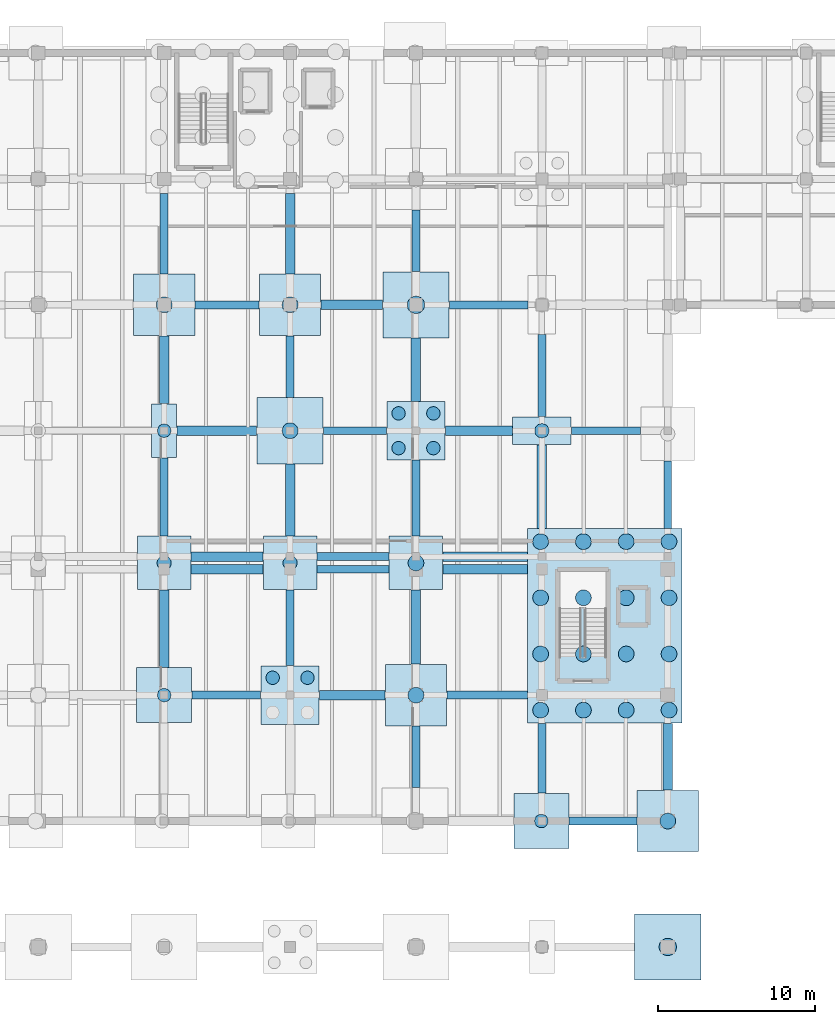
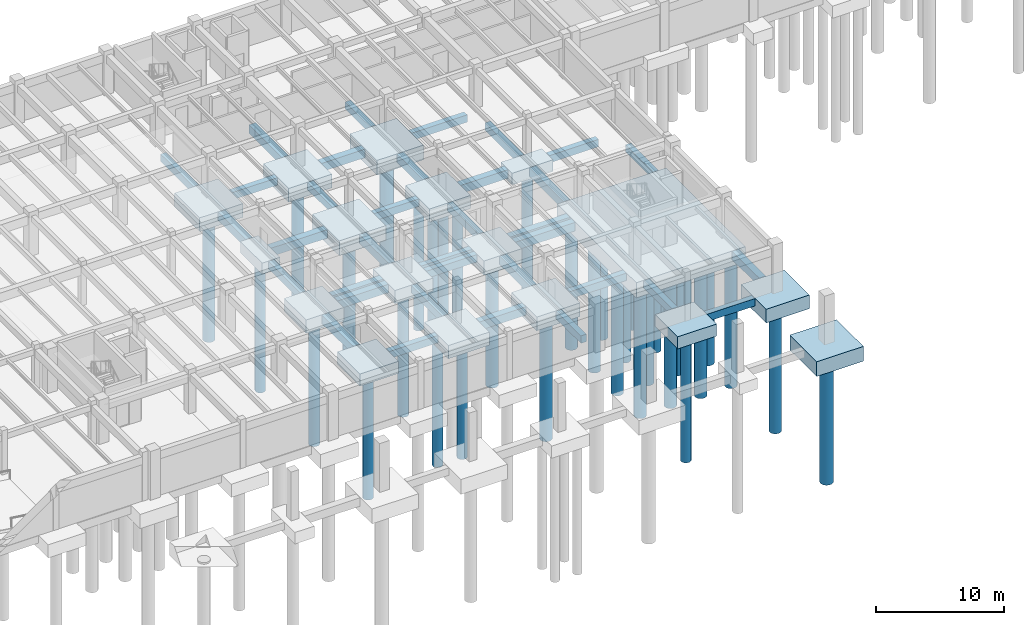
# One storey, part 4 of 25: 52 footings, 36 piles.
"""IFC4 building model written with IfcOpenShell, lengths in metres."""

from ifc_helpers import new_model, si_unit, direction, frame, origin, origin_2d, place, context, subcontext, project, spatial, rectangle, circle, extrude, material, layer, layer_set, material_profile, profile_set, type_object, element, save


model = new_model("IFC4")

# Units and contexts
model_context = context("Model", 3, precision=1e-05, world=origin(), true_north=direction((0.0, 1.0)))
body_context = subcontext(model_context, "Body", "Model", "MODEL_VIEW")
ifc_project = project(units=[si_unit("LENGTHUNIT", "METRE"), si_unit("AREAUNIT", "SQUARE_METRE"), si_unit("VOLUMEUNIT", "CUBIC_METRE"), si_unit("PLANEANGLEUNIT", "RADIAN"), si_unit("MASSUNIT", "GRAM", prefix="KILO")], contexts=[model_context])

# Site, building, storey
site_placement = place(None, origin())
site = spatial("IfcSite", under=ifc_project, at=site_placement, CompositionType="ELEMENT")
building_placement = place(site_placement, origin())
building = spatial("IfcBuilding", under=site, at=building_placement, Name="Tlaxcora Railside Police Headquarters", CompositionType="ELEMENT")
storey_placement = place(building_placement, frame((0.0, 0.0, -4.199951171875)))
storey = spatial("IfcBuildingStorey", under=building, at=storey_placement, Name="B1", CompositionType="ELEMENT", Elevation=-4.199951171875)

# Piles
ifc_material_1 = material(Name="Concrete C35/45", Category="concrete")
ifc_material_profile_1 = material_profile(ifc_material_1, circle(Radius=0.425048828125, at=origin_2d()), Name="PILE850")
ifc_profile_set_1 = profile_set([ifc_material_profile_1], Name="Concrete C35/45")
pile_type_1 = type_object("IfcPileType", Name="Cast-in-Place Bored Pile PL-12", PredefinedType="BORED", material=ifc_profile_set_1)
pile_1_placement = place(storey_placement, frame((70.0, 52.0, -1.43994140625), z_axis=(0.0, 0.0, -1.0), x_axis=(1.0, 0.0, 0.0)))
element("IfcPile", 1, at=pile_1_placement, inside=storey, type_object=pile_type_1, Name="Bored pile PILE-058-1", PredefinedType="BORED", context=body_context, shape_type="SweptSolid", body=[
    extrude(circle(Radius=0.425048828125, at=origin_2d()), origin(), (0.0, 0.0, 1.0), 12.360107421875),
])
pile_2_placement = place(storey_placement, frame((70.0, 68.800048828125, -1.340087890625), z_axis=(0.0, 0.0, -1.0), x_axis=(1.0, 0.0, 0.0)))
element("IfcPile", 2, at=pile_2_placement, inside=storey, type_object=pile_type_1, Name="Bored pile PILE-060-1", PredefinedType="BORED", context=body_context, shape_type="SweptSolid", body=[
    extrude(circle(Radius=0.425048828125, at=origin_2d()), origin(), (0.0, 0.0, 1.0), 12.4599609375),
])
for number, where, z_axis, x_axis, name in (
    (3, (76.89501953125, 53.10498046875, -1.5400390625), (0.0, 0.0, -1.0), (1.0, 0.0, 0.0), "Bored pile PILE-064-2"),
    (4, (79.10498046875, 53.10498046875, -1.5400390625), (0.0, 0.0, -1.0), (1.0, 0.0, 0.0), "Bored pile PILE-064-4"),
    (5, (84.89501953125, 67.695068359375, -1.5400390625), (0.0, 0.0, -1.0), (1.0, 0.0, 0.0), "Bored pile PILE-073-1"),
    (6, (84.89501953125, 69.905029296875, -1.5400390625), (0.0, 0.0, -1.0), (1.0, 0.0, 0.0), "Bored pile PILE-073-2"),
    (7, (87.10498046875, 67.695068359375, -1.5400390625), (0.0, 0.0, -1.0), (1.0, 0.0, 0.0), "Bored pile PILE-073-3"),
    (8, (87.10498046875, 69.905029296875, -1.5400390625), (0.0, 0.0, -1.0), (1.0, 0.0, 0.0), "Bored pile PILE-073-4"),
):
    element("IfcPile", number, at=place(storey_placement, frame(where, z_axis=z_axis, x_axis=x_axis)), inside=storey, type_object=pile_type_1, Name=name, PredefinedType="BORED", context=body_context, shape_type="SweptSolid", body=[
        extrude(circle(Radius=0.425048828125, at=origin_2d()), origin(), (0.0, 0.0, 1.0), 12.260009765625),
    ])
pile_3_placement = place(storey_placement, frame((93.966552734375, 44.0, -1.43994140625), z_axis=(0.0, 0.0, -1.0), x_axis=(1.0, 0.0, 0.0)))
element("IfcPile", 9, at=pile_3_placement, inside=storey, type_object=pile_type_1, Name="Bored pile PILE-076-1", PredefinedType="BORED", context=body_context, shape_type="SweptSolid", body=[
    extrude(circle(Radius=0.425048828125, at=origin_2d()), origin(), (0.0, 0.0, 1.0), 12.360107421875),
])
ifc_material_profile_2 = material_profile(ifc_material_1, circle(Radius=0.449951171875, at=origin_2d()), Name="PILE900")
ifc_profile_set_2 = profile_set([ifc_material_profile_2], Name="Concrete C35/45")
pile_type_2 = type_object("IfcPileType", Name="Cast-in-Place Bored Pile PL-52", PredefinedType="BORED", material=ifc_profile_set_2)
for number, where, z_axis, x_axis, name in (
    (10, (70.0, 60.39990234375, -1.5400390625), (0.0, 0.0, -1.0), (1.0, 0.0, 0.0), "Bored pile PILE-059-1"),
    (11, (78.0, 60.39990234375, -1.5400390625), (0.0, 0.0, -1.0), (1.0, 0.0, 0.0), "Bored pile PILE-065-1"),
):
    element("IfcPile", number, at=place(storey_placement, frame(where, z_axis=z_axis, x_axis=x_axis)), inside=storey, type_object=pile_type_2, Name=name, PredefinedType="BORED", context=body_context, shape_type="SweptSolid", body=[
        extrude(circle(Radius=0.449951171875, at=origin_2d()), origin(), (0.0, 0.0, 1.0), 12.260009765625),
    ])
pile_4_placement = place(storey_placement, frame((94.0, 68.800048828125, -1.39013671875), z_axis=(0.0, 0.0, -1.0), x_axis=(1.0, 0.0, 0.0)))
element("IfcPile", 12, at=pile_4_placement, inside=storey, type_object=pile_type_2, Name="Bored pile PILE-079-1", PredefinedType="BORED", context=body_context, shape_type="SweptSolid", body=[
    extrude(circle(Radius=0.449951171875, at=origin_2d()), origin(), (0.0, 0.0, 1.0), 12.409912109375),
])
ifc_material_profile_3 = material_profile(ifc_material_1, circle(Radius=0.5, at=origin_2d()), Name="PILE1000")
ifc_profile_set_3 = profile_set([ifc_material_profile_3], Name="Concrete C35/45")
pile_type_3 = type_object("IfcPileType", Name="Cast-in-Place Bored Pile PL-74", PredefinedType="BORED", material=ifc_profile_set_3)
for number, where, z_axis, x_axis, name in (
    (13, (93.919921875, 51.044921875, -1.739990234375), (0.0, 0.0, -1.0), (1.0, 0.0, 0.0), "Bored pile PILE-006-1"),
    (14, (93.919921875, 54.614990234375, -1.739990234375), (0.0, 0.0, -1.0), (1.0, 0.0, 0.0), "Bored pile PILE-006-2"),
    (15, (93.919921875, 58.18505859375, -1.739990234375), (0.0, 0.0, -1.0), (1.0, 0.0, 0.0), "Bored pile PILE-006-3"),
    (16, (93.919921875, 61.7548828125, -1.739990234375), (0.0, 0.0, -1.0), (1.0, 0.0, 0.0), "Bored pile PILE-006-4"),
    (17, (96.639892578125, 51.044921875, -1.739990234375), (0.0, 0.0, -1.0), (1.0, 0.0, 0.0), "Bored pile PILE-006-5"),
    (18, (96.639892578125, 54.614990234375, -1.739990234375), (0.0, 0.0, -1.0), (1.0, 0.0, 0.0), "Bored pile PILE-006-6"),
    (19, (96.639892578125, 58.18505859375, -1.739990234375), (0.0, 0.0, -1.0), (1.0, 0.0, 0.0), "Bored pile PILE-006-7"),
    (20, (96.639892578125, 61.7548828125, -1.739990234375), (0.0, 0.0, -1.0), (1.0, 0.0, 0.0), "Bored pile PILE-006-8"),
    (21, (99.360107421875, 51.044921875, -1.739990234375), (0.0, 0.0, -1.0), (1.0, 0.0, 0.0), "Bored pile PILE-006-9"),
    (22, (99.360107421875, 54.614990234375, -1.739990234375), (0.0, 0.0, -1.0), (1.0, 0.0, 0.0), "Bored pile PILE-006-10"),
    (23, (99.360107421875, 58.18505859375, -1.739990234375), (0.0, 0.0, -1.0), (1.0, 0.0, 0.0), "Bored pile PILE-006-11"),
    (24, (99.360107421875, 61.7548828125, -1.739990234375), (0.0, 0.0, -1.0), (1.0, 0.0, 0.0), "Bored pile PILE-006-12"),
    (25, (102.080078125, 51.044921875, -1.739990234375), (0.0, 0.0, -1.0), (1.0, 0.0, 0.0), "Bored pile PILE-006-13"),
    (26, (102.080078125, 54.614990234375, -1.739990234375), (0.0, 0.0, -1.0), (1.0, 0.0, 0.0), "Bored pile PILE-006-14"),
    (27, (102.080078125, 58.18505859375, -1.739990234375), (0.0, 0.0, -1.0), (1.0, 0.0, 0.0), "Bored pile PILE-006-15"),
    (28, (102.080078125, 61.7548828125, -1.739990234375), (0.0, 0.0, -1.0), (1.0, 0.0, 0.0), "Bored pile PILE-006-16"),
):
    element("IfcPile", number, at=place(storey_placement, frame(where, z_axis=z_axis, x_axis=x_axis)), inside=storey, type_object=pile_type_3, Name=name, PredefinedType="BORED", context=body_context, shape_type="SweptSolid", body=[
        extrude(circle(Radius=0.5, at=origin_2d()), origin(), (0.0, 0.0, 1.0), 12.06005859375),
    ])
pile_5_placement = place(storey_placement, frame((70.0, 76.800048828125, -1.590087890625), z_axis=(0.0, 0.0, -1.0), x_axis=(1.0, 0.0, 0.0)))
element("IfcPile", 29, at=pile_5_placement, inside=storey, type_object=pile_type_3, Name="Bored pile PILE-061-1", PredefinedType="BORED", context=body_context, shape_type="SweptSolid", body=[
    extrude(circle(Radius=0.5, at=origin_2d()), origin(), (0.0, 0.0, 1.0), 12.2099609375),
])
pile_6_placement = place(storey_placement, frame((78.0, 68.800048828125, -1.68994140625), z_axis=(0.0, 0.0, -1.0), x_axis=(1.0, 0.0, 0.0)))
element("IfcPile", 30, at=pile_6_placement, inside=storey, type_object=pile_type_3, Name="Bored pile PILE-066-1", PredefinedType="BORED", context=body_context, shape_type="SweptSolid", body=[
    extrude(circle(Radius=0.5, at=origin_2d()), origin(), (0.0, 0.0, 1.0), 12.110107421875),
])
for number, where, z_axis, x_axis, name in (
    (31, (78.0, 76.800048828125, -1.590087890625), (0.0, 0.0, -1.0), (1.0, 0.0, 0.0), "Bored pile PILE-067-1"),
    (32, (86.0, 52.0, -1.590087890625), (0.0, 0.0, -1.0), (1.0, 0.0, 0.0), "Bored pile PILE-071-1"),
):
    element("IfcPile", number, at=place(storey_placement, frame(where, z_axis=z_axis, x_axis=x_axis)), inside=storey, type_object=pile_type_3, Name=name, PredefinedType="BORED", context=body_context, shape_type="SweptSolid", body=[
        extrude(circle(Radius=0.5, at=origin_2d()), origin(), (0.0, 0.0, 1.0), 12.2099609375),
    ])
pile_7_placement = place(storey_placement, frame((86.0, 60.39990234375, -1.64013671875), z_axis=(0.0, 0.0, -1.0), x_axis=(1.0, 0.0, 0.0)))
element("IfcPile", 33, at=pile_7_placement, inside=storey, type_object=pile_type_3, Name="Bored pile PILE-072-1", PredefinedType="BORED", context=body_context, shape_type="SweptSolid", body=[
    extrude(circle(Radius=0.5, at=origin_2d()), origin(), (0.0, 0.0, 1.0), 12.159912109375),
])
pile_8_placement = place(storey_placement, frame((102.0, 44.0, -1.590087890625), z_axis=(0.0, 0.0, -1.0), x_axis=(1.0, 0.0, 0.0)))
element("IfcPile", 34, at=pile_8_placement, inside=storey, type_object=pile_type_3, Name="Bored pile PILE-083-1", PredefinedType="BORED", context=body_context, shape_type="SweptSolid", body=[
    extrude(circle(Radius=0.5, at=origin_2d()), origin(), (0.0, 0.0, 1.0), 12.2099609375),
])
ifc_material_profile_4 = material_profile(ifc_material_1, circle(Radius=0.550048828125, at=origin_2d()), Name="PILE1100")
ifc_profile_set_4 = profile_set([ifc_material_profile_4], Name="Concrete C35/45")
pile_type_4 = type_object("IfcPileType", Name="Cast-in-Place Bored Pile PL-78", PredefinedType="BORED", material=ifc_profile_set_4)
for number, where, z_axis, x_axis, name in (
    (35, (86.0, 76.800048828125, -1.68994140625), (0.0, 0.0, -1.0), (1.0, 0.0, 0.0), "Bored pile PILE-074-1"),
    (36, (102.0, 36.0, -1.68994140625), (0.0, 0.0, -1.0), (1.0, 0.0, 0.0), "Bored pile PILE-082-1"),
):
    element("IfcPile", number, at=place(storey_placement, frame(where, z_axis=z_axis, x_axis=x_axis)), inside=storey, type_object=pile_type_4, Name=name, PredefinedType="BORED", context=body_context, shape_type="SweptSolid", body=[
        extrude(circle(Radius=0.550048828125, at=origin_2d()), origin(), (0.0, 0.0, 1.0), 12.110107421875),
    ])

# Footings
ifc_material_2 = material(Name="Concrete C40/50", Category="concrete")
ifc_layer_1 = layer(ifc_material_2, 1.35009765625, Name="Concrete C40/50")
ifc_layer_set_1 = layer_set([ifc_layer_1], Name="Concrete C40/50")
footing_type_1 = type_object("IfcFootingType", Name="Reinforced Concrete Pile Cap FT-227", PredefinedType="PILE_CAP", material=ifc_layer_set_1)
for number, where, z_axis, x_axis, name in (
    (37, (70.0, 60.39990234375, -1.68994140625), (0.0, 0.0, 1.0), (1.0, 0.0, 0.0), "Pile cap CAP-B1-059"),
    (38, (78.0, 60.39990234375, -1.68994140625), (0.0, 0.0, 1.0), (1.0, 0.0, 0.0), "Pile cap CAP-B1-065"),
):
    element("IfcFooting", number, at=place(storey_placement, frame(where, z_axis=z_axis, x_axis=x_axis)), inside=storey, type_object=footing_type_1, Name=name, PredefinedType="PILE_CAP", context=body_context, shape_type="SweptSolid", body=[
        extrude(rectangle(XDim=3.39990234375, YDim=3.39990234375, at=origin_2d()), origin(), (0.0, 0.0, 1.0), 1.25),
    ])
footing_1_placement = place(storey_placement, frame((86.0, 60.39990234375, -1.7900390625), z_axis=(0.0, 0.0, 1.0), x_axis=(1.0, 0.0, 0.0)))
element("IfcFooting", 39, at=footing_1_placement, inside=storey, type_object=footing_type_1, Name="Pile cap CAP-B1-072", PredefinedType="PILE_CAP", context=body_context, shape_type="SweptSolid", body=[
    extrude(rectangle(XDim=3.39990234375, YDim=3.39990234375, at=origin_2d()), origin(), (0.0, 0.0, 1.0), 1.35009765625),
])
ifc_layer_2 = layer(ifc_material_2, 1.449951171875, Name="Concrete C40/50")
ifc_layer_set_2 = layer_set([ifc_layer_2], Name="Concrete C40/50")
footing_type_2 = type_object("IfcFootingType", Name="Reinforced Concrete Pile Cap FT-238", PredefinedType="PILE_CAP", material=ifc_layer_set_2)
footing_2_placement = place(storey_placement, frame((98.0, 56.39990234375, -1.89013671875), z_axis=(0.0, 0.0, 1.0), x_axis=(1.0, 0.0, 0.0)))
element("IfcFooting", 40, at=footing_2_placement, inside=storey, type_object=footing_type_2, Name="Pile cap CAP-B1-006", PredefinedType="PILE_CAP", context=body_context, shape_type="SweptSolid", body=[
    extrude(rectangle(XDim=9.800048828125, YDim=12.35009765625, at=origin_2d()), origin(), (0.0, 0.0, 1.0), 1.449951171875),
])
ifc_layer_3 = layer(ifc_material_2, 1.050048828125, Name="Concrete C40/50")
ifc_layer_set_3 = layer_set([ifc_layer_3], Name="Concrete C40/50")
footing_type_3 = type_object("IfcFootingType", Name="Reinforced Concrete Pile Cap FT-30", PredefinedType="PILE_CAP", material=ifc_layer_set_3)
footing_3_placement = place(storey_placement, frame((70.0, 68.800048828125, -1.490234375), z_axis=(0.0, 0.0, 1.0), x_axis=(1.0, 0.0, 0.0)))
element("IfcFooting", 41, at=footing_3_placement, inside=storey, type_object=footing_type_3, Name="Pile cap CAP-B1-060", PredefinedType="PILE_CAP", context=body_context, shape_type="SweptSolid", body=[
    extrude(rectangle(XDim=1.60009765625, YDim=3.39990234375, at=origin_2d()), origin(), (0.0, 0.0, 1.0), 1.050048828125),
])
ifc_layer_4 = layer(ifc_material_2, 1.14990234375, Name="Concrete C40/50")
ifc_layer_set_4 = layer_set([ifc_layer_4], Name="Concrete C40/50")
footing_type_4 = type_object("IfcFootingType", Name="Reinforced Concrete Pile Cap FT-46", PredefinedType="PILE_CAP", material=ifc_layer_set_4)
for number, where, z_axis, x_axis, name in (
    (42, (70.0, 52.0, -1.590087890625), (0.0, 0.0, 1.0), (1.0, 0.0, 0.0), "Pile cap CAP-B1-058"),
    (43, (93.966552734375, 44.0, -1.590087890625), (0.0, 0.0, 1.0), (1.0, 0.0, 0.0), "Pile cap CAP-B1-076"),
):
    element("IfcFooting", number, at=place(storey_placement, frame(where, z_axis=z_axis, x_axis=x_axis)), inside=storey, type_object=footing_type_4, Name=name, PredefinedType="PILE_CAP", context=body_context, shape_type="SweptSolid", body=[
        extrude(rectangle(XDim=3.5, YDim=3.5, at=origin_2d()), origin(), (0.0, 0.0, 1.0), 1.14990234375),
    ])
ifc_layer_5 = layer(ifc_material_2, 1.300048828125, Name="Concrete C40/50")
ifc_layer_set_5 = layer_set([ifc_layer_5], Name="Concrete C40/50")
footing_type_5 = type_object("IfcFootingType", Name="Reinforced Concrete Pile Cap FT-75", PredefinedType="PILE_CAP", material=ifc_layer_set_5)
for number, where, z_axis, x_axis, name in (
    (44, (70.0, 76.800048828125, -1.740234375), (0.0, 0.0, 1.0), (1.0, 0.0, 0.0), "Pile cap CAP-B1-061"),
    (45, (78.0, 76.800048828125, -1.740234375), (0.0, 0.0, 1.0), (1.0, 0.0, 0.0), "Pile cap CAP-B1-067"),
    (46, (86.0, 52.0, -1.740234375), (0.0, 0.0, 1.0), (1.0, 0.0, 0.0), "Pile cap CAP-B1-071"),
    (47, (102.0, 44.0, -1.740234375), (0.0, 0.0, 1.0), (1.0, 0.0, 0.0), "Pile cap CAP-B1-083"),
):
    element("IfcFooting", number, at=place(storey_placement, frame(where, z_axis=z_axis, x_axis=x_axis)), inside=storey, type_object=footing_type_5, Name=name, PredefinedType="PILE_CAP", context=body_context, shape_type="SweptSolid", body=[
        extrude(rectangle(XDim=3.89990234375, YDim=3.89990234375, at=origin_2d()), origin(), (0.0, 0.0, 1.0), 1.300048828125),
    ])
ifc_layer_6 = layer(ifc_material_2, 1.10009765625, Name="Concrete C40/50")
ifc_layer_set_6 = layer_set([ifc_layer_6], Name="Concrete C40/50")
footing_type_6 = type_object("IfcFootingType", Name="Reinforced Concrete Pile Cap FT-77", PredefinedType="PILE_CAP", material=ifc_layer_set_6)
footing_4_placement = place(storey_placement, frame((94.0, 68.800048828125, -1.5400390625), z_axis=(0.0, 0.0, 1.0), x_axis=(1.0, 0.0, 0.0)))
element("IfcFooting", 48, at=footing_4_placement, inside=storey, type_object=footing_type_6, Name="Pile cap CAP-B1-079", PredefinedType="PILE_CAP", context=body_context, shape_type="SweptSolid", body=[
    extrude(rectangle(XDim=3.699951171875, YDim=1.75, at=origin_2d()), origin(), (0.0, 0.0, 1.0), 1.10009765625),
])
ifc_layer_7 = layer(ifc_material_2, 1.25, Name="Concrete C40/50")
ifc_layer_set_7 = layer_set([ifc_layer_7], Name="Concrete C40/50")
footing_type_7 = type_object("IfcFootingType", Name="Reinforced Concrete Pile Cap FT-78", PredefinedType="PILE_CAP", material=ifc_layer_set_7)
for number, where, z_axis, x_axis, name in (
    (49, (78.0, 52.0, -1.68994140625), (0.0, 0.0, 1.0), (1.0, 0.0, 0.0), "Pile cap CAP-B1-064"),
    (50, (86.0, 68.800048828125, -1.68994140625), (0.0, 0.0, 1.0), (1.0, 0.0, 0.0), "Pile cap CAP-B1-073"),
):
    element("IfcFooting", number, at=place(storey_placement, frame(where, z_axis=z_axis, x_axis=x_axis)), inside=storey, type_object=footing_type_7, Name=name, PredefinedType="PILE_CAP", context=body_context, shape_type="SweptSolid", body=[
        extrude(rectangle(XDim=3.699951171875, YDim=3.699951171875, at=origin_2d()), origin(), (0.0, 0.0, 1.0), 1.25),
    ])
ifc_layer_8 = layer(ifc_material_2, 1.39990234375, Name="Concrete C40/50")
ifc_layer_set_8 = layer_set([ifc_layer_8], Name="Concrete C40/50")
footing_type_8 = type_object("IfcFootingType", Name="Reinforced Concrete Pile Cap FT-93", PredefinedType="PILE_CAP", material=ifc_layer_set_8)
for number, where, z_axis, x_axis, name in (
    (51, (78.0, 68.800048828125, -1.840087890625), (0.0, 0.0, 1.0), (1.0, 0.0, 0.0), "Pile cap CAP-B1-066"),
    (52, (86.0, 76.800048828125, -1.840087890625), (0.0, 0.0, 1.0), (1.0, 0.0, 0.0), "Pile cap CAP-B1-074"),
    (53, (102.0, 36.0, -1.840087890625), (0.0, 0.0, 1.0), (1.0, 0.0, 0.0), "Pile cap CAP-B1-082"),
):
    element("IfcFooting", number, at=place(storey_placement, frame(where, z_axis=z_axis, x_axis=x_axis)), inside=storey, type_object=footing_type_8, Name=name, PredefinedType="PILE_CAP", context=body_context, shape_type="SweptSolid", body=[
        extrude(rectangle(XDim=4.199951171875, YDim=4.199951171875, at=origin_2d()), origin(), (0.0, 0.0, 1.0), 1.39990234375),
    ])
ifc_layer_9 = layer(ifc_material_1, 0.699951171875, Name="Concrete C35/45")
ifc_layer_set_9 = layer_set([ifc_layer_9], Name="Concrete C35/45")
footing_type_9 = type_object("IfcFootingType", Name="Reinforced Concrete Tie Beam FT-39", PredefinedType="FOOTING_BEAM", material=ifc_layer_set_9)
footing_5_placement = place(storey_placement, frame((97.88330078125, 44.0, -1.14013671875), z_axis=(0.0, 0.0, 1.0), x_axis=(1.0, 0.0, 0.0)))
element("IfcFooting", 54, at=footing_5_placement, inside=storey, type_object=footing_type_9, Name="Seismic tie beam TB-X-019", PredefinedType="FOOTING_BEAM", context=body_context, shape_type="SweptSolid", body=[
    extrude(rectangle(XDim=4.29345703125, YDim=0.5, at=origin_2d()), origin(), (0.0, 0.0, 1.0), 0.699951171875),
])
footing_6_placement = place(storey_placement, frame((73.949951171875, 52.0, -1.14013671875), z_axis=(0.0, 0.0, 1.0), x_axis=(1.0, 0.0, 0.0)))
element("IfcFooting", 55, at=footing_6_placement, inside=storey, type_object=footing_type_9, Name="Seismic tie beam TB-X-027", PredefinedType="FOOTING_BEAM", context=body_context, shape_type="SweptSolid", body=[
    extrude(rectangle(XDim=4.360107421875, YDim=0.5, at=origin_2d()), origin(), (0.0, 0.0, 1.0), 0.699951171875),
])
footing_7_placement = place(storey_placement, frame((90.52490234375, 52.0, -1.14013671875), z_axis=(0.0, 0.0, 1.0), x_axis=(1.0, 0.0, 0.0)))
element("IfcFooting", 56, at=footing_7_placement, inside=storey, type_object=footing_type_9, Name="Seismic tie beam TB-X-029", PredefinedType="FOOTING_BEAM", context=body_context, shape_type="SweptSolid", body=[
    extrude(rectangle(XDim=5.110107421875, YDim=0.5, at=origin_2d()), origin(), (0.0, 0.0, 1.0), 0.699951171875),
])
for number, where, z_axis, x_axis, name in (
    (57, (82.0, 60.0, -1.14013671875), (0.0, 0.0, 1.0), (1.0, 0.0, 0.0), "Seismic tie beam TB-X-033"),
    (58, (82.0, 60.800048828125, -1.14013671875), (0.0, 0.0, 1.0), (1.0, 0.0, 0.0), "Seismic tie beam TB-X-043"),
):
    element("IfcFooting", number, at=place(storey_placement, frame(where, z_axis=z_axis, x_axis=x_axis)), inside=storey, type_object=footing_type_9, Name=name, PredefinedType="FOOTING_BEAM", context=body_context, shape_type="SweptSolid", body=[
        extrude(rectangle(XDim=4.56005859375, YDim=0.5, at=origin_2d()), origin(), (0.0, 0.0, 1.0), 0.699951171875),
    ])
footing_8_placement = place(storey_placement, frame((82.125, 68.800048828125, -1.14013671875), z_axis=(0.0, 0.0, 1.0), x_axis=(1.0, 0.0, 0.0)))
element("IfcFooting", 59, at=footing_8_placement, inside=storey, type_object=footing_type_9, Name="Seismic tie beam TB-X-053", PredefinedType="FOOTING_BEAM", context=body_context, shape_type="SweptSolid", body=[
    extrude(rectangle(XDim=4.010009765625, YDim=0.5, at=origin_2d()), origin(), (0.0, 0.0, 1.0), 0.699951171875),
])
footing_9_placement = place(storey_placement, frame((98.074951171875, 68.800048828125, -1.14013671875), z_axis=(0.0, 0.0, 1.0), x_axis=(1.0, 0.0, 0.0)))
element("IfcFooting", 60, at=footing_9_placement, inside=storey, type_object=footing_type_9, Name="Seismic tie beam TB-X-055", PredefinedType="FOOTING_BEAM", context=body_context, shape_type="SweptSolid", body=[
    extrude(rectangle(XDim=4.409912109375, YDim=0.5, at=origin_2d()), origin(), (0.0, 0.0, 1.0), 0.699951171875),
])
footing_10_placement = place(storey_placement, frame((74.0, 76.800048828125, -1.14013671875), z_axis=(0.0, 0.0, 1.0), x_axis=(1.0, 0.0, 0.0)))
element("IfcFooting", 61, at=footing_10_placement, inside=storey, type_object=footing_type_9, Name="Seismic tie beam TB-X-063", PredefinedType="FOOTING_BEAM", context=body_context, shape_type="SweptSolid", body=[
    extrude(rectangle(XDim=4.06005859375, YDim=0.5, at=origin_2d()), origin(), (0.0, 0.0, 1.0), 0.699951171875),
])
footing_11_placement = place(storey_placement, frame((90.612548828125, 76.800048828125, -1.14013671875), z_axis=(0.0, 0.0, 1.0), x_axis=(1.0, 0.0, 0.0)))
element("IfcFooting", 62, at=footing_11_placement, inside=storey, type_object=footing_type_9, Name="Seismic tie beam TB-X-065", PredefinedType="FOOTING_BEAM", context=body_context, shape_type="SweptSolid", body=[
    extrude(rectangle(XDim=4.985107421875, YDim=0.5, at=origin_2d()), origin(), (0.0, 0.0, 1.0), 0.699951171875),
])
footing_12_placement = place(storey_placement, frame((70.0, 64.60009765625, -1.14013671875), z_axis=(0.0, 0.0, 1.0), x_axis=(0.0, 1.0, 0.0)))
element("IfcFooting", 63, at=footing_12_placement, inside=storey, type_object=footing_type_9, Name="Seismic tie beam TB-Y-133", PredefinedType="FOOTING_BEAM", context=body_context, shape_type="SweptSolid", body=[
    extrude(rectangle(XDim=4.9599609375, YDim=0.5, at=origin_2d()), origin(), (0.0, 0.0, 1.0), 0.699951171875),
])
footing_13_placement = place(storey_placement, frame((70.0, 81.324951171875, -1.14013671875), z_axis=(0.0, 0.0, 1.0), x_axis=(0.0, 1.0, 0.0)))
element("IfcFooting", 64, at=footing_13_placement, inside=storey, type_object=footing_type_9, Name="Seismic tie beam TB-Y-135", PredefinedType="FOOTING_BEAM", context=body_context, shape_type="SweptSolid", body=[
    extrude(rectangle(XDim=5.110107421875, YDim=0.5, at=origin_2d()), origin(), (0.0, 0.0, 1.0), 0.699951171875),
])
footing_14_placement = place(storey_placement, frame((78.0, 56.27490234375, -1.14013671875), z_axis=(0.0, 0.0, 1.0), x_axis=(0.0, 1.0, 0.0)))
element("IfcFooting", 65, at=footing_14_placement, inside=storey, type_object=footing_type_9, Name="Seismic tie beam TB-Y-137", PredefinedType="FOOTING_BEAM", context=body_context, shape_type="SweptSolid", body=[
    extrude(rectangle(XDim=4.81005859375, YDim=0.5, at=origin_2d()), origin(), (0.0, 0.0, 1.0), 0.699951171875),
])
for number, where, z_axis, x_axis, name in (
    (66, (78.0, 72.875, -1.14013671875), (0.0, 0.0, 1.0), (0.0, 1.0, 0.0), "Seismic tie beam TB-Y-139"),
    (67, (86.0, 48.074951171875, -1.14013671875), (0.0, 0.0, 1.0), (0.0, 1.0, 0.0), "Seismic tie beam TB-Y-141"),
):
    element("IfcFooting", number, at=place(storey_placement, frame(where, z_axis=z_axis, x_axis=x_axis)), inside=storey, type_object=footing_type_9, Name=name, PredefinedType="FOOTING_BEAM", context=body_context, shape_type="SweptSolid", body=[
        extrude(rectangle(XDim=3.909912109375, YDim=0.5, at=origin_2d()), origin(), (0.0, 0.0, 1.0), 0.699951171875),
    ])
footing_15_placement = place(storey_placement, frame((86.0, 64.52490234375, -1.14013671875), z_axis=(0.0, 0.0, 1.0), x_axis=(0.0, 1.0, 0.0)))
element("IfcFooting", 68, at=footing_15_placement, inside=storey, type_object=footing_type_9, Name="Seismic tie beam TB-Y-143", PredefinedType="FOOTING_BEAM", context=body_context, shape_type="SweptSolid", body=[
    extrude(rectangle(XDim=4.81005859375, YDim=0.5, at=origin_2d()), origin(), (0.0, 0.0, 1.0), 0.699951171875),
])
footing_16_placement = place(storey_placement, frame((86.0, 80.875, -1.14013671875), z_axis=(0.0, 0.0, 1.0), x_axis=(0.0, 1.0, 0.0)))
element("IfcFooting", 69, at=footing_16_placement, inside=storey, type_object=footing_type_9, Name="Seismic tie beam TB-Y-145", PredefinedType="FOOTING_BEAM", context=body_context, shape_type="SweptSolid", body=[
    extrude(rectangle(XDim=3.909912109375, YDim=0.5, at=origin_2d()), origin(), (0.0, 0.0, 1.0), 0.699951171875),
])
footing_17_placement = place(storey_placement, frame((94.0, 47.987548828125, -1.14013671875), z_axis=(0.0, 0.0, 1.0), x_axis=(0.0, 1.0, 0.0)))
element("IfcFooting", 70, at=footing_17_placement, inside=storey, type_object=footing_type_9, Name="Seismic tie beam TB-Y-147", PredefinedType="FOOTING_BEAM", context=body_context, shape_type="SweptSolid", body=[
    extrude(rectangle(XDim=4.43505859375, YDim=0.5, at=origin_2d()), origin(), (0.0, 0.0, 1.0), 0.699951171875),
])
footing_18_placement = place(storey_placement, frame((94.0, 72.3125, -1.14013671875), z_axis=(0.0, 0.0, 1.0), x_axis=(0.0, 1.0, 0.0)))
element("IfcFooting", 71, at=footing_18_placement, inside=storey, type_object=footing_type_9, Name="Seismic tie beam TB-Y-149", PredefinedType="FOOTING_BEAM", context=body_context, shape_type="SweptSolid", body=[
    extrude(rectangle(XDim=5.235107421875, YDim=0.5, at=origin_2d()), origin(), (0.0, 0.0, 1.0), 0.699951171875),
])
footing_19_placement = place(storey_placement, frame((102.0, 64.737548828125, -1.14013671875), z_axis=(0.0, 0.0, 1.0), x_axis=(0.0, 1.0, 0.0)))
element("IfcFooting", 72, at=footing_19_placement, inside=storey, type_object=footing_type_9, Name="Seismic tie beam TB-Y-153", PredefinedType="FOOTING_BEAM", context=body_context, shape_type="SweptSolid", body=[
    extrude(rectangle(XDim=4.284912109375, YDim=0.5, at=origin_2d()), origin(), (0.0, 0.0, 1.0), 0.699951171875),
])
ifc_layer_10 = layer(ifc_material_1, 0.800048828125, Name="Concrete C35/45")
ifc_layer_set_10 = layer_set([ifc_layer_10], Name="Concrete C35/45")
footing_type_10 = type_object("IfcFootingType", Name="Reinforced Concrete Tie Beam FT-96", PredefinedType="FOOTING_BEAM", material=ifc_layer_set_10)
footing_20_placement = place(storey_placement, frame((81.949951171875, 52.0, -1.240234375), z_axis=(0.0, 0.0, 1.0), x_axis=(1.0, 0.0, 0.0)))
element("IfcFooting", 73, at=footing_20_placement, inside=storey, type_object=footing_type_10, Name="Seismic tie beam TB-X-028", PredefinedType="FOOTING_BEAM", context=body_context, shape_type="SweptSolid", body=[
    extrude(rectangle(XDim=4.159912109375, YDim=0.60009765625, at=origin_2d()), origin(), (0.0, 0.0, 1.0), 0.800048828125),
])
footing_21_placement = place(storey_placement, frame((74.0, 60.0, -1.240234375), z_axis=(0.0, 0.0, 1.0), x_axis=(1.0, 0.0, 0.0)))
element("IfcFooting", 74, at=footing_21_placement, inside=storey, type_object=footing_type_10, Name="Seismic tie beam TB-X-032", PredefinedType="FOOTING_BEAM", context=body_context, shape_type="SweptSolid", body=[
    extrude(rectangle(XDim=4.56005859375, YDim=0.60009765625, at=origin_2d()), origin(), (0.0, 0.0, 1.0), 0.800048828125),
])
footing_22_placement = place(storey_placement, frame((90.39990234375, 60.0, -1.240234375), z_axis=(0.0, 0.0, 1.0), x_axis=(1.0, 0.0, 0.0)))
element("IfcFooting", 75, at=footing_22_placement, inside=storey, type_object=footing_type_10, Name="Seismic tie beam TB-X-034", PredefinedType="FOOTING_BEAM", context=body_context, shape_type="SweptSolid", body=[
    extrude(rectangle(XDim=5.360107421875, YDim=0.60009765625, at=origin_2d()), origin(), (0.0, 0.0, 1.0), 0.800048828125),
])
footing_23_placement = place(storey_placement, frame((74.0, 60.800048828125, -1.240234375), z_axis=(0.0, 0.0, 1.0), x_axis=(1.0, 0.0, 0.0)))
element("IfcFooting", 76, at=footing_23_placement, inside=storey, type_object=footing_type_10, Name="Seismic tie beam TB-X-042", PredefinedType="FOOTING_BEAM", context=body_context, shape_type="SweptSolid", body=[
    extrude(rectangle(XDim=4.56005859375, YDim=0.60009765625, at=origin_2d()), origin(), (0.0, 0.0, 1.0), 0.800048828125),
])
footing_24_placement = place(storey_placement, frame((90.39990234375, 60.800048828125, -1.240234375), z_axis=(0.0, 0.0, 1.0), x_axis=(1.0, 0.0, 0.0)))
element("IfcFooting", 77, at=footing_24_placement, inside=storey, type_object=footing_type_10, Name="Seismic tie beam TB-X-044", PredefinedType="FOOTING_BEAM", context=body_context, shape_type="SweptSolid", body=[
    extrude(rectangle(XDim=5.360107421875, YDim=0.60009765625, at=origin_2d()), origin(), (0.0, 0.0, 1.0), 0.800048828125),
])
footing_25_placement = place(storey_placement, frame((73.35009765625, 68.800048828125, -1.240234375), z_axis=(0.0, 0.0, 1.0), x_axis=(1.0, 0.0, 0.0)))
element("IfcFooting", 78, at=footing_25_placement, inside=storey, type_object=footing_type_10, Name="Seismic tie beam TB-X-052", PredefinedType="FOOTING_BEAM", context=body_context, shape_type="SweptSolid", body=[
    extrude(rectangle(XDim=5.06005859375, YDim=0.60009765625, at=origin_2d()), origin(), (0.0, 0.0, 1.0), 0.800048828125),
])
footing_26_placement = place(storey_placement, frame((90.0, 68.800048828125, -1.240234375), z_axis=(0.0, 0.0, 1.0), x_axis=(1.0, 0.0, 0.0)))
element("IfcFooting", 79, at=footing_26_placement, inside=storey, type_object=footing_type_10, Name="Seismic tie beam TB-X-054", PredefinedType="FOOTING_BEAM", context=body_context, shape_type="SweptSolid", body=[
    extrude(rectangle(XDim=4.260009765625, YDim=0.60009765625, at=origin_2d()), origin(), (0.0, 0.0, 1.0), 0.800048828125),
])
footing_27_placement = place(storey_placement, frame((81.925048828125, 76.800048828125, -1.240234375), z_axis=(0.0, 0.0, 1.0), x_axis=(1.0, 0.0, 0.0)))
element("IfcFooting", 80, at=footing_27_placement, inside=storey, type_object=footing_type_10, Name="Seismic tie beam TB-X-064", PredefinedType="FOOTING_BEAM", context=body_context, shape_type="SweptSolid", body=[
    extrude(rectangle(XDim=3.909912109375, YDim=0.60009765625, at=origin_2d()), origin(), (0.0, 0.0, 1.0), 0.800048828125),
])
footing_28_placement = place(storey_placement, frame((70.0, 56.22509765625, -1.240234375), z_axis=(0.0, 0.0, 1.0), x_axis=(0.0, 1.0, 0.0)))
element("IfcFooting", 81, at=footing_28_placement, inside=storey, type_object=footing_type_10, Name="Seismic tie beam TB-Y-132", PredefinedType="FOOTING_BEAM", context=body_context, shape_type="SweptSolid", body=[
    extrude(rectangle(XDim=4.909912109375, YDim=0.60009765625, at=origin_2d()), origin(), (0.0, 0.0, 1.0), 0.800048828125),
])
footing_29_placement = place(storey_placement, frame((70.0, 72.675048828125, -1.240234375), z_axis=(0.0, 0.0, 1.0), x_axis=(0.0, 1.0, 0.0)))
element("IfcFooting", 82, at=footing_29_placement, inside=storey, type_object=footing_type_10, Name="Seismic tie beam TB-Y-134", PredefinedType="FOOTING_BEAM", context=body_context, shape_type="SweptSolid", body=[
    extrude(rectangle(XDim=4.31005859375, YDim=0.60009765625, at=origin_2d()), origin(), (0.0, 0.0, 1.0), 0.800048828125),
])
footing_30_placement = place(storey_placement, frame((78.0, 64.39990234375, -1.240234375), z_axis=(0.0, 0.0, 1.0), x_axis=(0.0, 1.0, 0.0)))
element("IfcFooting", 83, at=footing_30_placement, inside=storey, type_object=footing_type_10, Name="Seismic tie beam TB-Y-138", PredefinedType="FOOTING_BEAM", context=body_context, shape_type="SweptSolid", body=[
    extrude(rectangle(XDim=4.56005859375, YDim=0.60009765625, at=origin_2d()), origin(), (0.0, 0.0, 1.0), 0.800048828125),
])
footing_31_placement = place(storey_placement, frame((78.0, 81.324951171875, -1.240234375), z_axis=(0.0, 0.0, 1.0), x_axis=(0.0, 1.0, 0.0)))
element("IfcFooting", 84, at=footing_31_placement, inside=storey, type_object=footing_type_10, Name="Seismic tie beam TB-Y-140", PredefinedType="FOOTING_BEAM", context=body_context, shape_type="SweptSolid", body=[
    extrude(rectangle(XDim=5.110107421875, YDim=0.60009765625, at=origin_2d()), origin(), (0.0, 0.0, 1.0), 0.800048828125),
])
footing_32_placement = place(storey_placement, frame((86.0, 56.324951171875, -1.240234375), z_axis=(0.0, 0.0, 1.0), x_axis=(0.0, 1.0, 0.0)))
element("IfcFooting", 85, at=footing_32_placement, inside=storey, type_object=footing_type_10, Name="Seismic tie beam TB-Y-142", PredefinedType="FOOTING_BEAM", context=body_context, shape_type="SweptSolid", body=[
    extrude(rectangle(XDim=4.7099609375, YDim=0.60009765625, at=origin_2d()), origin(), (0.0, 0.0, 1.0), 0.800048828125),
])
footing_33_placement = place(storey_placement, frame((86.0, 72.675048828125, -1.240234375), z_axis=(0.0, 0.0, 1.0), x_axis=(0.0, 1.0, 0.0)))
element("IfcFooting", 86, at=footing_33_placement, inside=storey, type_object=footing_type_10, Name="Seismic tie beam TB-Y-144", PredefinedType="FOOTING_BEAM", context=body_context, shape_type="SweptSolid", body=[
    extrude(rectangle(XDim=4.010009765625, YDim=0.60009765625, at=origin_2d()), origin(), (0.0, 0.0, 1.0), 0.800048828125),
])
footing_34_placement = place(storey_placement, frame((94.0, 65.25, -1.240234375), z_axis=(0.0, 0.0, 1.0), x_axis=(0.0, 1.0, 0.0)))
element("IfcFooting", 87, at=footing_34_placement, inside=storey, type_object=footing_type_10, Name="Seismic tie beam TB-Y-148", PredefinedType="FOOTING_BEAM", context=body_context, shape_type="SweptSolid", body=[
    extrude(rectangle(XDim=5.31005859375, YDim=0.60009765625, at=origin_2d()), origin(), (0.0, 0.0, 1.0), 0.800048828125),
])
footing_35_placement = place(storey_placement, frame((102.0, 48.08740234375, -1.240234375), z_axis=(0.0, 0.0, 1.0), x_axis=(0.0, 1.0, 0.0)))
element("IfcFooting", 88, at=footing_35_placement, inside=storey, type_object=footing_type_10, Name="Seismic tie beam TB-Y-152", PredefinedType="FOOTING_BEAM", context=body_context, shape_type="SweptSolid", body=[
    extrude(rectangle(XDim=4.235107421875, YDim=0.60009765625, at=origin_2d()), origin(), (0.0, 0.0, 1.0), 0.800048828125),
])

save(model, "model.ifc")
